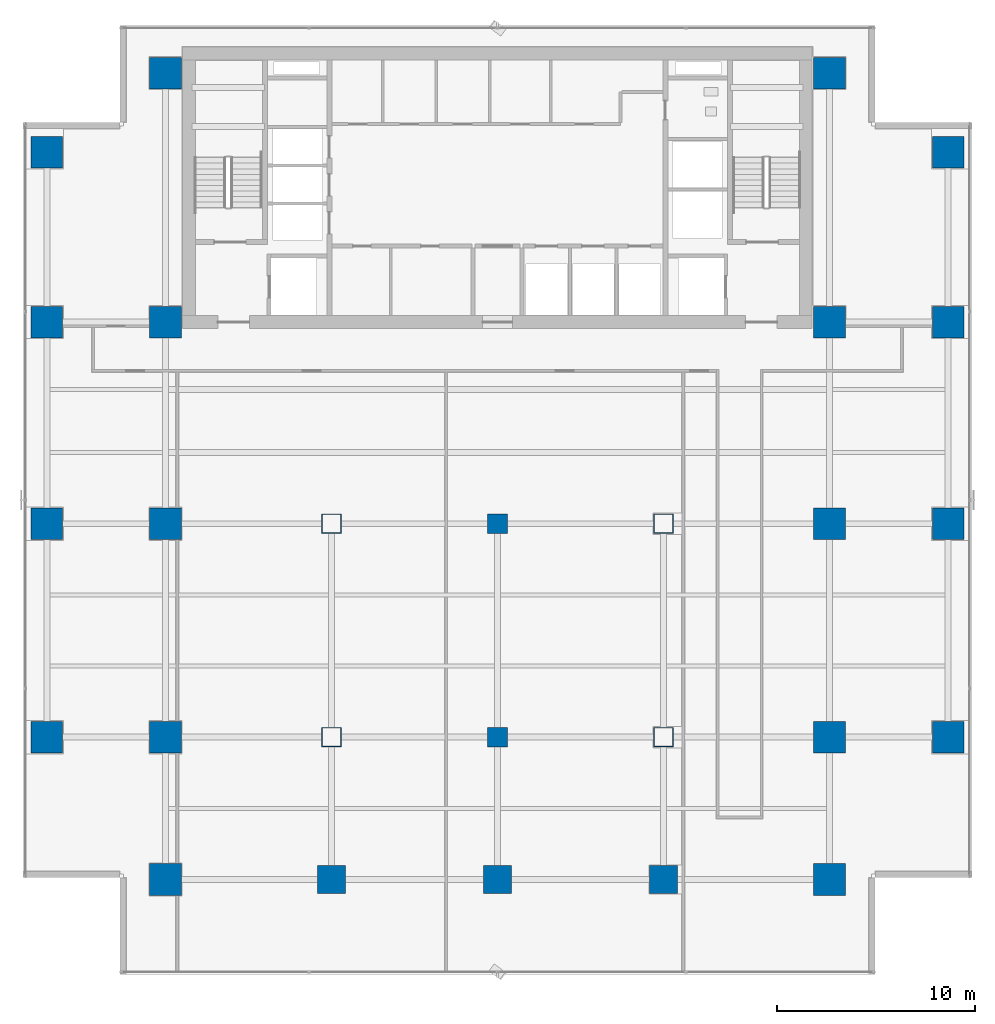
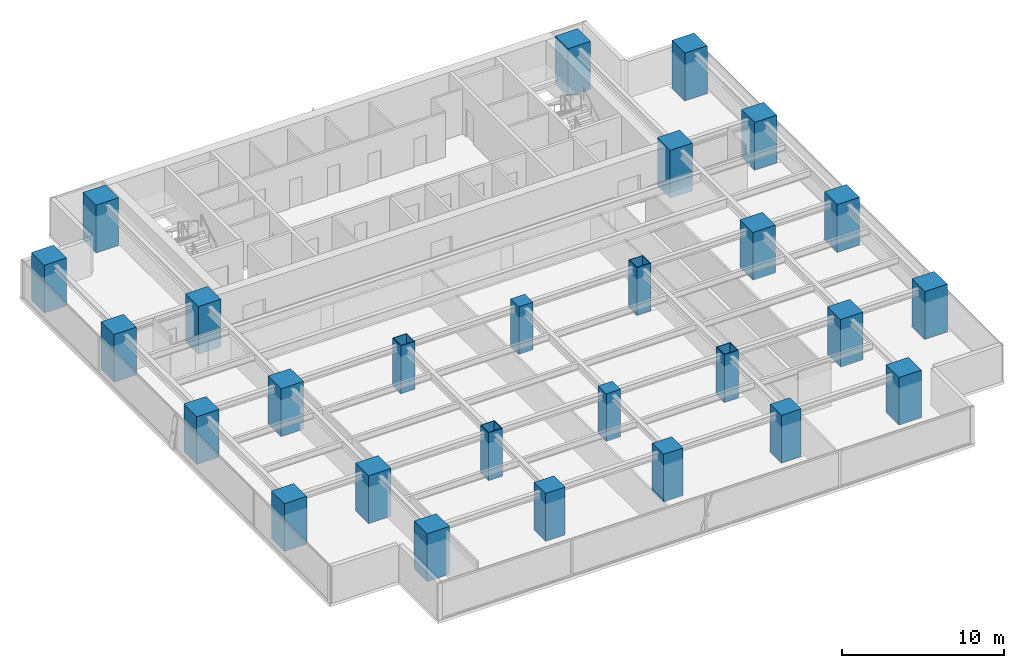
# One storey, part 1 of 27: 27 columns.
"""IFC4 building model written with IfcOpenShell, lengths in metres."""

import ifcopenshell
import ifcopenshell.guid

model = None  # the IFC model being written
_history = None  # IfcOwnerHistory: only IFC2X3 demands one
_inside = {}  # id of a spatial element -> (the spatial element, [elements in it])
_under = {}  # id of a project, library or spatial element -> (it, [spatial elements below it])
_declared = {}  # id of a project -> (the project, [libraries it declares])
_typed = {}  # id of a type object -> (the type object, [elements of that type])
_made_of = {}  # id of a material, layer set ... -> (it, [elements and type objects made of it])


def new_model(schema):
    """Start an empty IFC model of exactly this schema.

    Asked for "IFC4X3", IfcOpenShell would pick the latest addendum, in which some entities
    have other attributes; the version numbers below select the first issue.
    IFC2X3 requires an IfcOwnerHistory on every rooted entity: one is made here for all.
    """
    global model, _history
    if schema == "IFC4X3":
        model = ifcopenshell.file(schema_version=(4, 3, 0, 0))
    else:
        model = ifcopenshell.file(schema=schema)
    _inside.clear()
    _under.clear()
    _declared.clear()
    _typed.clear()
    _made_of.clear()
    _history = None
    if model.schema == "IFC2X3":
        org = make("IfcOrganization", Name="unknown")
        user = make(
            "IfcPersonAndOrganization",
            ThePerson=make("IfcPerson", FamilyName="unknown"),
            TheOrganization=org,
        )
        app = make(
            "IfcApplication",
            ApplicationDeveloper=org,
            Version="unknown",
            ApplicationFullName="unknown",
            ApplicationIdentifier="unknown",
        )
        _history = make(
            "IfcOwnerHistory",
            OwningUser=user,
            OwningApplication=app,
            ChangeAction="ADDED",
            CreationDate=0,
        )
    return model


def make(cls, **values):
    """One entity of the class cls with the attributes given. An attribute that is None is left unset."""
    return model.create_entity(
        cls, **{name: value for name, value in values.items() if value is not None}
    )


def rooted(cls, **values):
    """An entity with a GlobalId (a new one), such as an element, a storey or a relation."""
    return make(cls, GlobalId=ifcopenshell.guid.new(), OwnerHistory=_history, **values)


def si_unit(unit_type, name, prefix=None):
    """IfcSIUnit, for example si_unit("LENGTHUNIT", "METRE", prefix="MILLI")."""
    return make("IfcSIUnit", UnitType=unit_type, Prefix=prefix, Name=name)


def assignment(units):
    """IfcUnitAssignment: the units of a project."""
    return None if units is None else make("IfcUnitAssignment", Units=units)


def point(xyz):
    """IfcCartesianPoint."""
    return None if xyz is None else make("IfcCartesianPoint", Coordinates=xyz)


def direction(xyz):
    """IfcDirection."""
    return None if xyz is None else make("IfcDirection", DirectionRatios=xyz)


def frame(location, z_axis=None, x_axis=None):
    """IfcAxis2Placement3D, a coordinate frame: its origin and axes. An axis left out is left unset."""
    return make(
        "IfcAxis2Placement3D",
        Location=point(location),
        Axis=direction(z_axis),
        RefDirection=direction(x_axis),
    )


def frame_2d(location, x_axis=None):
    """IfcAxis2Placement2D, a coordinate frame in the plane: its origin and x axis."""
    return make(
        "IfcAxis2Placement2D", Location=point(location), RefDirection=direction(x_axis)
    )


def origin():
    """The frame at (0, 0, 0) with its axes left unset."""
    return frame((0.0, 0.0, 0.0))


def origin_2d():
    """The frame at (0, 0) in the plane with its x axis left unset."""
    return frame_2d((0.0, 0.0))


def place(relative_to, where):
    """IfcLocalPlacement: puts the frame where relative to a parent placement (None: the world)."""
    return make(
        "IfcLocalPlacement", PlacementRelTo=relative_to, RelativePlacement=where
    )


def context(
    kind, dimensions, precision=None, world=None, true_north=None, identifier=None
):
    """IfcGeometricRepresentationContext, for example the 3D "Model" context."""
    return make(
        "IfcGeometricRepresentationContext",
        ContextIdentifier=identifier,
        ContextType=kind,
        CoordinateSpaceDimension=dimensions,
        Precision=precision,
        WorldCoordinateSystem=world,
        TrueNorth=true_north,
    )


def subcontext(parent, identifier, kind, view, scale=None):
    """IfcGeometricRepresentationSubContext, for example "Body" below "Model"."""
    return make(
        "IfcGeometricRepresentationSubContext",
        ContextIdentifier=identifier,
        ContextType=kind,
        ParentContext=parent,
        TargetScale=scale,
        TargetView=view,
    )


def project(units=None, contexts=None):
    """IfcProject with its units and contexts."""
    return rooted(
        "IfcProject",
        Name="project",
        RepresentationContexts=contexts,
        UnitsInContext=assignment(units),
    )


def spatial(cls, under=None, at=None, **own):
    """A site, building, storey or space (cls), placed at a placement, below another one or the project."""
    s = rooted(cls, ObjectPlacement=at, **own)
    if under is not None:
        _under.setdefault(under.id(), (under, []))[1].append(s)
    return s


def profile(cls, at=None, kind="AREA", **sizes):
    """A parametric profile (cls). Its sizes go by their IFC names, for example OverallWidth=200.0."""
    return make(cls, ProfileType=kind, Position=at, **sizes)


def rectangle(**sizes):
    """IfcRectangleProfileDef."""
    return profile("IfcRectangleProfileDef", **sizes)


def hollow_rectangle(**sizes):
    """IfcRectangleHollowProfileDef."""
    return profile("IfcRectangleHollowProfileDef", **sizes)


def extrude(swept, where, along, depth):
    """IfcExtrudedAreaSolid: the profile swept, set in the frame where, extruded along a direction by depth."""
    return make(
        "IfcExtrudedAreaSolid",
        SweptArea=swept,
        Position=where,
        ExtrudedDirection=direction(along),
        Depth=depth,
    )


def shape(context_of_items, identifier, shape_type, items):
    """IfcShapeRepresentation: the items that make up one representation, for example the "Body"."""
    return make(
        "IfcShapeRepresentation",
        ContextOfItems=context_of_items,
        RepresentationIdentifier=identifier,
        RepresentationType=shape_type,
        Items=items,
    )


def source(mapping_origin, context_of_items, identifier, shape_type, items):
    """IfcRepresentationMap: a shape defined once, which mapped items show again and again."""
    return make(
        "IfcRepresentationMap",
        MappingOrigin=mapping_origin,
        MappedRepresentation=shape(context_of_items, identifier, shape_type, items),
    )


def transform(
    local_origin,
    x_axis=None,
    y_axis=None,
    z_axis=None,
    scale=None,
    scale2=None,
    scale3=None,
    uniform=True,
):
    """IfcCartesianTransformationOperator3D, or its non-uniform kind. x_axis, y_axis, z_axis: its Axis1, 2, 3."""
    if uniform:
        return make(
            "IfcCartesianTransformationOperator3D",
            Axis1=direction(x_axis),
            Axis2=direction(y_axis),
            LocalOrigin=point(local_origin),
            Scale=scale,
            Axis3=direction(z_axis),
        )
    return make(
        "IfcCartesianTransformationOperator3DnonUniform",
        Axis1=direction(x_axis),
        Axis2=direction(y_axis),
        LocalOrigin=point(local_origin),
        Scale=scale,
        Axis3=direction(z_axis),
        Scale2=scale2,
        Scale3=scale3,
    )


def mapped(mapping_source, mapping_target):
    """IfcMappedItem: shows the shape of a source again, moved by a transform."""
    return make(
        "IfcMappedItem", MappingSource=mapping_source, MappingTarget=mapping_target
    )


def material(Name=None, Category=None):
    """IfcMaterial."""
    return make("IfcMaterial", Name=Name, Category=Category)


def material_profile(
    of_material, cross_section, Name=None, Category=None, Priority=None
):
    """IfcMaterialProfile: a cross section and its material."""
    return make(
        "IfcMaterialProfile",
        Name=Name,
        Material=of_material,
        Profile=cross_section,
        Priority=Priority,
        Category=Category,
    )


def profile_set(profiles, Name=None, composite=None):
    """IfcMaterialProfileSet."""
    return make(
        "IfcMaterialProfileSet",
        Name=Name,
        MaterialProfiles=profiles,
        CompositeProfile=composite,
    )


def made_of(thing, what):
    """Note that an element or type object is made of a material, layer set ...; save() writes the relation."""
    if what is not None:
        _made_of.setdefault(what.id(), (what, []))[1].append(thing)
    return thing


def type_object(cls, material=None, **own):
    """A type object (cls), such as IfcWallType, which elements share."""
    return made_of(rooted(cls, **own), material)


def element(
    cls,
    number,
    at=None,
    inside=None,
    cuts=None,
    type_object=None,
    material=None,
    context=None,
    identifier="Body",
    shape_type=None,
    held_by="IfcProductDefinitionShape",
    body=None,
    shapes=None,
    **own,
):
    """One element of the class cls, such as IfcWall. Its Tag is "e" and its number.

    at: its placement. inside: the storey or other place that contains it. cuts: it is an
    opening in that element (IfcRelVoidsElement). A single representation is given by context,
    identifier, shape_type and body (its items); several are given by shapes. held_by: the class
    of the entity that holds the representations. save() writes the other relations.
    """
    e = rooted(cls, Tag="e%d" % number, ObjectPlacement=at, **own)
    if body is not None:
        shapes = [shape(context, identifier, shape_type, body)]
    if shapes is not None:
        e.Representation = make(held_by, Representations=shapes)
    if inside is not None:
        _inside.setdefault(inside.id(), (inside, []))[1].append(e)
    if cuts is not None:
        rooted(
            "IfcRelVoidsElement", RelatingBuildingElement=cuts, RelatedOpeningElement=e
        )
    if type_object is not None:
        _typed.setdefault(type_object.id(), (type_object, []))[1].append(e)
    return made_of(e, material)


def aggregate(whole, parts):
    """IfcRelAggregates: a whole, such as a stair, and the parts it consists of."""
    return rooted("IfcRelAggregates", RelatingObject=whole, RelatedObjects=parts)


def save(model, path):
    """Write the relations noted so far, then the file.

    IfcRelAggregates (storeys below a building ...), IfcRelContainedInSpatialStructure (elements
    in a storey), IfcRelDefinesByType, IfcRelAssociatesMaterial and IfcRelDeclares: one each for
    every whole, place, type object, material and project.
    """
    for whole, parts in _under.values():
        aggregate(whole, parts)
    for where, things in _inside.values():
        rooted(
            "IfcRelContainedInSpatialStructure",
            RelatedElements=things,
            RelatingStructure=where,
        )
    for kind, things in _typed.values():
        rooted("IfcRelDefinesByType", RelatedObjects=things, RelatingType=kind)
    for what, things in _made_of.values():
        rooted("IfcRelAssociatesMaterial", RelatedObjects=things, RelatingMaterial=what)
    for by, libraries in _declared.values():
        rooted("IfcRelDeclares", RelatingContext=by, RelatedDefinitions=libraries)
    model.write(path)


model = new_model("IFC4")

# Units and contexts
model_context = context("Model", 3, precision=1e-05, world=origin(), true_north=direction((0.0, 1.0)))
body_context = subcontext(model_context, "Body", "Model", "MODEL_VIEW")
ifc_project = project(units=[si_unit("LENGTHUNIT", "METRE"), si_unit("AREAUNIT", "SQUARE_METRE"), si_unit("VOLUMEUNIT", "CUBIC_METRE"), si_unit("PLANEANGLEUNIT", "RADIAN"), si_unit("MASSUNIT", "GRAM", prefix="KILO")], contexts=[model_context])

# Site, building, storey
site_placement = place(None, origin())
site = spatial("IfcSite", under=ifc_project, at=site_placement, CompositionType="ELEMENT")
building_placement = place(site_placement, origin())
building = spatial("IfcBuilding", under=site, at=building_placement, Name="Sumidabori Civic Tower", CompositionType="ELEMENT")
storey_placement = place(building_placement, frame((0.0, 0.0, 135.199951171875)))
storey = spatial("IfcBuildingStorey", under=building, at=storey_placement, Name="L34", CompositionType="ELEMENT", Elevation=135.199951171875)

# Columns
ifc_material_1 = material(Name="Concrete C60/75", Category="concrete")
ifc_material_profile_1 = material_profile(ifc_material_1, rectangle(XDim=1.60009765625, YDim=1.60009765625, at=origin_2d()), Name="RC 1600x1600")
ifc_profile_set_1 = profile_set([ifc_material_profile_1], Name="Concrete C60/75")
column_type_1 = type_object("IfcColumnType", Name="CL-MEGA-1600", PredefinedType="COLUMN", material=ifc_profile_set_1)
shared_shape_1 = source(origin(), body_context, "Body", "SweptSolid", [
    extrude(rectangle(XDim=1.60009765625, YDim=1.60009765625, at=origin_2d()), origin(), (0.0, 0.0, 1.0), 3.60009765625),
])
for number, where, z_axis, x_axis, name in (
    (1, (-16.800048828125, -18.0, 0.0), (0.0, 0.0, 1.0), (1.0, 0.0, 0.0), "Column MC-W16-Y18S L34"),
    (2, (-16.800048828125, -10.800048828125, 0.0), (0.0, 0.0, 1.0), (1.0, 0.0, 0.0), "Column MC-W16-Y11S L34"),
    (3, (-16.800048828125, 0.0, 0.0), (0.0, 0.0, 1.0), (1.0, 0.0, 0.0), "Column MC-W16-Y00 L34"),
    (4, (-16.800048828125, 10.199951171875, 0.0), (0.0, 0.0, 1.0), (1.0, 0.0, 0.0), "Column MC-W16-Y10N L34"),
    (5, (-16.800048828125, 22.800048828125, 0.0), (0.0, 0.0, 1.0), (1.0, 0.0, 0.0), "Column MC-W16-Y23N L34"),
    (6, (16.800048828125, -18.0, 0.0), (0.0, 0.0, 1.0), (1.0, 0.0, 0.0), "Column MC-E16-Y18S L34"),
    (7, (16.800048828125, -10.800048828125, 0.0), (0.0, 0.0, 1.0), (1.0, 0.0, 0.0), "Column MC-E16-Y11S L34"),
    (8, (16.800048828125, 0.0, 0.0), (0.0, 0.0, 1.0), (1.0, 0.0, 0.0), "Column MC-E16-Y00 L34"),
    (9, (16.800048828125, 10.199951171875, 0.0), (0.0, 0.0, 1.0), (1.0, 0.0, 0.0), "Column MC-E16-Y10N L34"),
    (10, (16.800048828125, 22.800048828125, 0.0), (0.0, 0.0, 1.0), (1.0, 0.0, 0.0), "Column MC-E16-Y23N L34"),
    (11, (-22.800048828125, -10.800048828125, 0.0), (0.0, 0.0, 1.0), (1.0, 0.0, 0.0), "Column MC-W23-Y11S L34"),
    (12, (-22.800048828125, 0.0, 0.0), (0.0, 0.0, 1.0), (1.0, 0.0, 0.0), "Column MC-W23-Y00 L34"),
    (13, (-22.800048828125, 10.199951171875, 0.0), (0.0, 0.0, 1.0), (1.0, 0.0, 0.0), "Column MC-W23-Y10N L34"),
    (14, (-22.800048828125, 18.800048828125, 0.0), (0.0, 0.0, 1.0), (1.0, 0.0, 0.0), "Column MC-W23-Y19N L34"),
    (15, (22.800048828125, -10.800048828125, 0.0), (0.0, 0.0, 1.0), (1.0, 0.0, 0.0), "Column MC-E23-Y11S L34"),
    (16, (22.800048828125, 0.0, 0.0), (0.0, 0.0, 1.0), (1.0, 0.0, 0.0), "Column MC-E23-Y00 L34"),
    (17, (22.800048828125, 10.199951171875, 0.0), (0.0, 0.0, 1.0), (1.0, 0.0, 0.0), "Column MC-E23-Y10N L34"),
    (18, (22.800048828125, 18.800048828125, 0.0), (0.0, 0.0, 1.0), (1.0, 0.0, 0.0), "Column MC-E23-Y19N L34"),
):
    element("IfcColumn", number, at=place(storey_placement, frame(where, z_axis=z_axis, x_axis=x_axis)), inside=storey, type_object=column_type_1, Name=name, PredefinedType="COLUMN", context=body_context, shape_type="MappedRepresentation", body=[
        mapped(shared_shape_1, transform((0.0, 0.0, 0.0), x_axis=(1.0, 0.0, 0.0), y_axis=(0.0, 1.0, 0.0), z_axis=(0.0, 0.0, 1.0), scale=1.0)),
    ])
ifc_material_2 = material(Name="Steel SM570", Category="steel")
ifc_material_profile_2 = material_profile(ifc_material_2, hollow_rectangle(XDim=1.0, YDim=1.0, WallThickness=0.044921875, at=origin_2d()), Name="SHS 1000x1000x45")
ifc_profile_set_2 = profile_set([ifc_material_profile_2], Name="Steel SM570")
column_type_2 = type_object("IfcColumnType", Name="CL-PORTAL-SHS1000", PredefinedType="COLUMN", material=ifc_profile_set_2)
shared_shape_2 = source(origin(), body_context, "Body", "SweptSolid", [
    extrude(hollow_rectangle(XDim=1.0, YDim=1.0, WallThickness=0.044921875, at=origin_2d()), origin(), (0.0, 0.0, 1.0), 3.60009765625),
])
for number, where, z_axis, x_axis, name in (
    (19, (-8.39990234375, 0.0, 0.0), (0.0, 0.0, 1.0), (1.0, 0.0, 0.0), "Column MC-W08-Y00 L34"),
    (20, (-8.39990234375, -10.800048828125, 0.0), (0.0, 0.0, 1.0), (1.0, 0.0, 0.0), "Column MC-W08-Y11S L34"),
    (21, (8.39990234375, 0.0, 0.0), (0.0, 0.0, 1.0), (1.0, 0.0, 0.0), "Column MC-E08-Y00 L34"),
    (22, (8.39990234375, -10.800048828125, 0.0), (0.0, 0.0, 1.0), (1.0, 0.0, 0.0), "Column MC-E08-Y11S L34"),
):
    element("IfcColumn", number, at=place(storey_placement, frame(where, z_axis=z_axis, x_axis=x_axis)), inside=storey, type_object=column_type_2, Name=name, PredefinedType="COLUMN", context=body_context, shape_type="MappedRepresentation", body=[
        mapped(shared_shape_2, transform((0.0, 0.0, 0.0), x_axis=(1.0, 0.0, 0.0), y_axis=(0.0, 1.0, 0.0), z_axis=(0.0, 0.0, 1.0), scale=1.0)),
    ])
ifc_material_profile_3 = material_profile(ifc_material_1, rectangle(XDim=1.39990234375, YDim=1.39990234375, at=origin_2d()), Name="RC 1400x1400")
ifc_profile_set_3 = profile_set([ifc_material_profile_3], Name="Concrete C60/75")
column_type_3 = type_object("IfcColumnType", Name="CL-MEGA-1400", PredefinedType="COLUMN", material=ifc_profile_set_3)
shared_shape_3 = source(origin(), body_context, "Body", "SweptSolid", [
    extrude(rectangle(XDim=1.39990234375, YDim=1.39990234375, at=origin_2d()), origin(), (0.0, 0.0, 1.0), 3.60009765625),
])
for number, where, z_axis, x_axis, name in (
    (23, (-8.39990234375, -18.0, 0.0), (0.0, 0.0, 1.0), (1.0, 0.0, 0.0), "Column MC-W08-Y18S L34"),
    (24, (8.39990234375, -18.0, 0.0), (0.0, 0.0, 1.0), (1.0, 0.0, 0.0), "Column MC-E08-Y18S L34"),
    (25, (0.0, -18.0, 0.0), (0.0, 0.0, 1.0), (1.0, 0.0, 0.0), "Column MC-C00-Y18S L34"),
):
    element("IfcColumn", number, at=place(storey_placement, frame(where, z_axis=z_axis, x_axis=x_axis)), inside=storey, type_object=column_type_3, Name=name, PredefinedType="COLUMN", context=body_context, shape_type="MappedRepresentation", body=[
        mapped(shared_shape_3, transform((0.0, 0.0, 0.0), x_axis=(1.0, 0.0, 0.0), y_axis=(0.0, 1.0, 0.0), z_axis=(0.0, 0.0, 1.0), scale=1.0)),
    ])
ifc_material_3 = material(Name="Concrete C50/60", Category="concrete")
ifc_material_profile_4 = material_profile(ifc_material_3, rectangle(XDim=1.0, YDim=1.0, at=origin_2d()), Name="RC 1000x1000")
ifc_profile_set_4 = profile_set([ifc_material_profile_4], Name="Concrete C50/60")
column_type_4 = type_object("IfcColumnType", Name="CL-INT-1000", PredefinedType="COLUMN", material=ifc_profile_set_4)
shared_shape_4 = source(origin(), body_context, "Body", "SweptSolid", [
    extrude(rectangle(XDim=1.0, YDim=1.0, at=origin_2d()), origin(), (0.0, 0.0, 1.0), 3.60009765625),
])
for number, where, z_axis, x_axis, name in (
    (26, (0.0, -10.800048828125, 0.0), (0.0, 0.0, 1.0), (1.0, 0.0, 0.0), "Column MC-C00-Y11S L34"),
    (27, (0.0, 0.0, 0.0), (0.0, 0.0, 1.0), (1.0, 0.0, 0.0), "Column MC-C00-Y00 L34"),
):
    element("IfcColumn", number, at=place(storey_placement, frame(where, z_axis=z_axis, x_axis=x_axis)), inside=storey, type_object=column_type_4, Name=name, PredefinedType="COLUMN", context=body_context, shape_type="MappedRepresentation", body=[
        mapped(shared_shape_4, transform((0.0, 0.0, 0.0), x_axis=(1.0, 0.0, 0.0), y_axis=(0.0, 1.0, 0.0), z_axis=(0.0, 0.0, 1.0), scale=1.0)),
    ])

save(model, "model.ifc")
